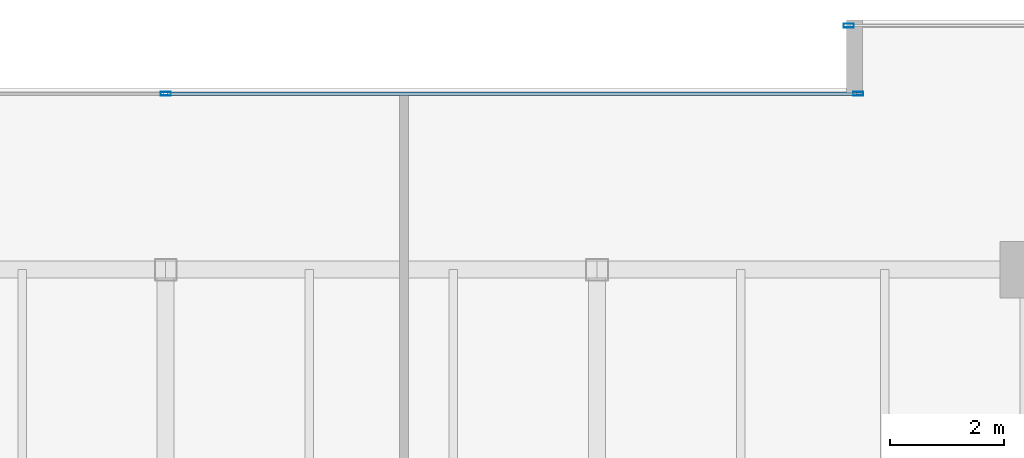
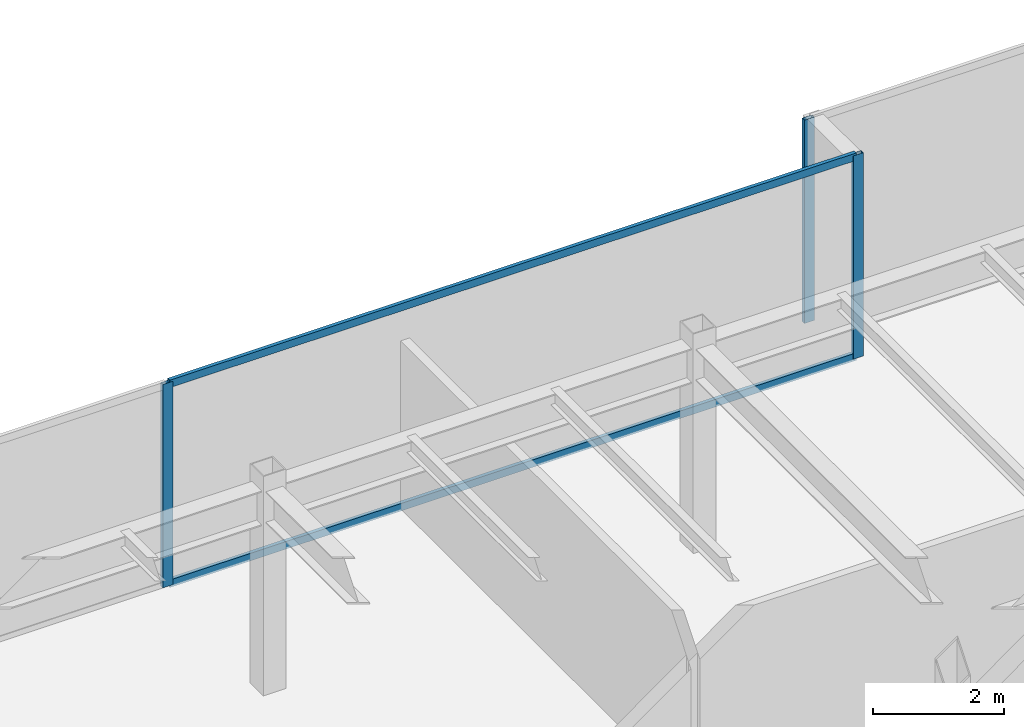
# One storey, part 19 of 33: 5 members, 2 elements without a shape of their own.
"""IFC4 building model written with IfcOpenShell, lengths in metres."""

from ifc_helpers import new_model, si_unit, direction, frame, origin, origin_2d, place, context, subcontext, project, spatial, hollow_rectangle, extrude, source, transform, mapped, material, layer, layer_set, material_profile, profile_set, type_object, type_shapes, element, aggregate, save


model = new_model("IFC4")

# Units and contexts
model_context = context("Model", 3, precision=1e-05, world=origin(), true_north=direction((0.0, 1.0)))
body_context = subcontext(model_context, "Body", "Model", "MODEL_VIEW")
ifc_project = project(units=[si_unit("LENGTHUNIT", "METRE"), si_unit("AREAUNIT", "SQUARE_METRE"), si_unit("VOLUMEUNIT", "CUBIC_METRE"), si_unit("PLANEANGLEUNIT", "RADIAN"), si_unit("MASSUNIT", "GRAM", prefix="KILO")], contexts=[model_context])

# Site, building, storey
site_placement = place(None, origin())
site = spatial("IfcSite", under=ifc_project, at=site_placement, CompositionType="ELEMENT")
building_placement = place(site_placement, origin())
building = spatial("IfcBuilding", under=site, at=building_placement, Name="Haelvirn Gate Laboratories", CompositionType="ELEMENT")
storey_placement = place(building_placement, frame((0.0, 0.0, 213.699951171875)))
storey = spatial("IfcBuildingStorey", under=building, at=storey_placement, Name="L51", CompositionType="ELEMENT", Elevation=213.699951171875)

# Curtain wall, members
ifc_material_1 = material(Name="Anodised bronze unitised aluminium & triple low-E glass", Category="aluminium")
ifc_layer = layer(ifc_material_1, 0.176025390625, Name="CW-SYS-4")
ifc_layer_set = layer_set([ifc_layer], Name="Anodised bronze unitised aluminium & triple low-E glass")
curtain_wall_type = type_object("IfcCurtainWallType", Name="CW-SYS-4", PredefinedType="NOTDEFINED", material=ifc_layer_set)
curtain_wall_1_placement = place(storey_placement, origin())
curtain_wall_1 = element("IfcCurtainWall", 1, at=curtain_wall_1_placement, inside=storey, type_object=curtain_wall_type, Name="L51 Unitised Curtain Wall CW-L51-P0-E12-1", PredefinedType="NOTDEFINED")
ifc_material_2 = material(Name="Extruded aluminium 6063-T6 (anodised bronze)", Category="aluminium")
ifc_material_profile_1 = material_profile(ifc_material_2, hollow_rectangle(XDim=0.06494140625, YDim=0.139892578125, WallThickness=0.00390625, at=origin_2d()), Name="CWT-140x65x4")
ifc_profile_set_1 = profile_set([ifc_material_profile_1], Name="Extruded aluminium 6063-T6 (anodised bronze)")
member_type_1 = type_object("IfcMemberType", Name="CWT-T140", PredefinedType="USERDEFINED", material=ifc_profile_set_1)
shared_shape_1 = source(origin(), body_context, "Body", "SweptSolid", [
    extrude(hollow_rectangle(XDim=0.06494140625, YDim=0.139892578125, WallThickness=0.00390625, at=origin_2d()), origin(), (0.0, 0.0, 1.0), 12.135009765625),
])
type_shapes(member_type_1, [shared_shape_1])
member_1_placement = place(storey_placement, frame((37.43505859375, 44.699951171875, 0.032470703125), z_axis=(1.0, 0.0, 0.0), x_axis=(0.0, 1.0, 0.0)))
member_1 = element("IfcMember", 2, at=member_1_placement, type_object=member_type_1, Name="CW4 transom 2.1", ObjectType="TRANSOM", PredefinedType="USERDEFINED", context=body_context, shape_type="MappedRepresentation", body=[
    mapped(shared_shape_1, transform((0.0, 0.0, 0.0), scale=1.0)),
])
member_2_placement = place(storey_placement, frame((37.43505859375, 44.699951171875, 3.767578125), z_axis=(1.0, 0.0, 0.0), x_axis=(0.0, 1.0, 0.0)))
member_2 = element("IfcMember", 3, at=member_2_placement, type_object=member_type_1, Name="CW4 transom 2.2", ObjectType="TRANSOM", PredefinedType="USERDEFINED", context=body_context, shape_type="MappedRepresentation", body=[
    mapped(shared_shape_1, transform((0.0, 0.0, 0.0), scale=1.0)),
])

# Curtain wall, member
curtain_wall_2_placement = place(storey_placement, origin())
curtain_wall_2 = element("IfcCurtainWall", 4, at=curtain_wall_2_placement, inside=storey, type_object=curtain_wall_type, Name="L51 Unitised Curtain Wall CW-L51-P0-E10-1", PredefinedType="NOTDEFINED")
ifc_material_profile_2 = material_profile(ifc_material_2, hollow_rectangle(XDim=0.070068359375, YDim=0.179931640625, WallThickness=0.0048828125, at=origin_2d()), Name="CWM-180x70x5")
ifc_profile_set_2 = profile_set([ifc_material_profile_2], Name="Extruded aluminium 6063-T6 (anodised bronze)")
member_type_2 = type_object("IfcMemberType", Name="CWM-T180", PredefinedType="MULLION", material=ifc_profile_set_2)
shared_shape_2 = source(origin(), body_context, "Body", "SweptSolid", [
    extrude(hollow_rectangle(XDim=0.070068359375, YDim=0.179931640625, WallThickness=0.0048828125, at=origin_2d()), origin(), (0.0, 0.0, 1.0), 3.800048828125),
])
type_shapes(member_type_2, [shared_shape_2])
member_3_placement = place(storey_placement, frame((49.43505859375, 45.89990234375, 0.0), z_axis=(0.0, 0.0, 1.0), x_axis=(0.0, 1.0, 0.0)))
member_3 = element("IfcMember", 5, at=member_3_placement, type_object=member_type_2, Name="CW4 mullion 1", PredefinedType="MULLION", context=body_context, shape_type="MappedRepresentation", body=[
    mapped(shared_shape_2, transform((0.0, 0.0, 0.0), scale=1.0)),
])
aggregate(curtain_wall_2, [member_3])

# Member
member_4_placement = place(storey_placement, frame((37.39990234375, 44.699951171875, 0.0), z_axis=(0.0, 0.0, 1.0), x_axis=(0.0, 1.0, 0.0)))
member_4 = element("IfcMember", 6, at=member_4_placement, type_object=member_type_2, Name="CW4 mullion 2", PredefinedType="MULLION", context=body_context, shape_type="MappedRepresentation", body=[
    mapped(shared_shape_2, transform((0.0, 0.0, 0.0), scale=1.0)),
])

member_5_placement = place(storey_placement, frame((49.60498046875, 44.699951171875, 0.0), z_axis=(0.0, 0.0, 1.0), x_axis=(0.0, 1.0, 0.0)))
member_5 = element("IfcMember", 7, at=member_5_placement, type_object=member_type_2, Name="CW4 mullion 3", PredefinedType="MULLION", context=body_context, shape_type="MappedRepresentation", body=[
    mapped(shared_shape_2, transform((0.0, 0.0, 0.0), scale=1.0)),
])

aggregate(curtain_wall_1, [member_4, member_5, member_1, member_2])

save(model, "model.ifc")
